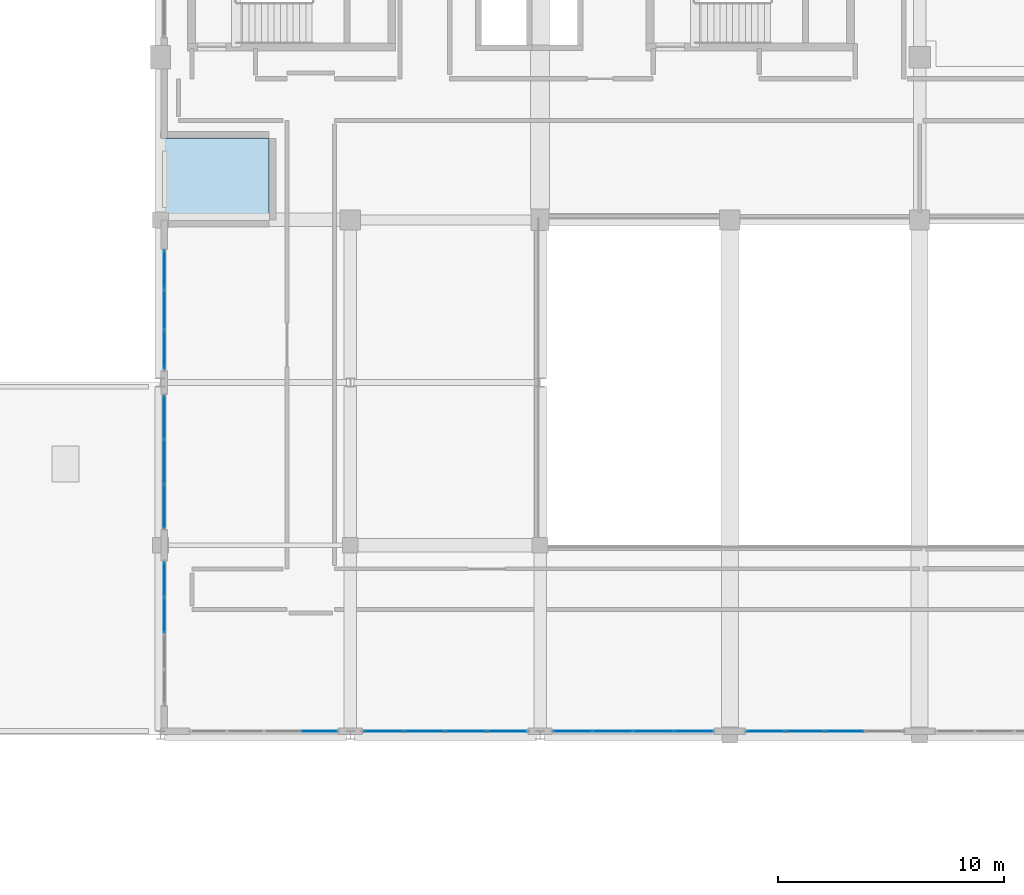
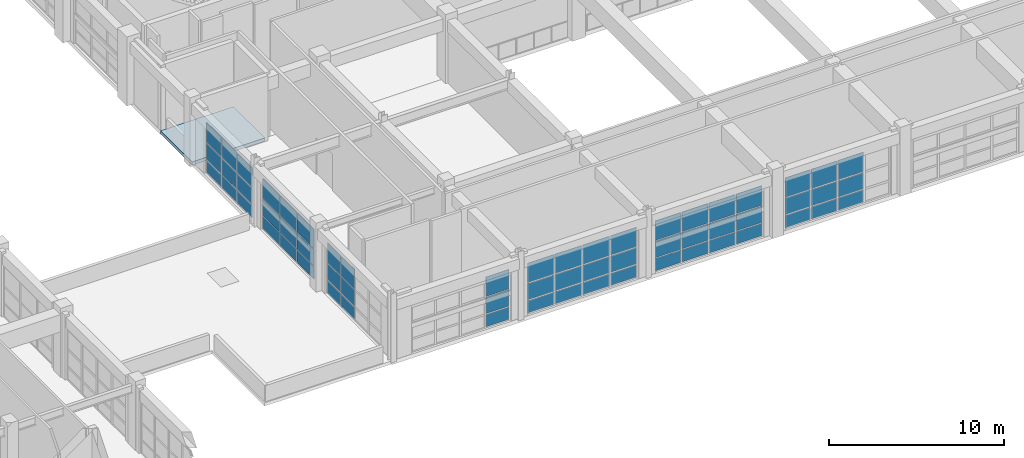
# One storey, part 92 of 123: 60 plates, 1 slab, 7 elements without a shape of their own.
"""IFC4 building model written with IfcOpenShell, lengths in metres."""

from ifc_helpers import new_model, si_unit, direction, frame, origin, origin_2d, place, context, subcontext, project, spatial, polyline, rectangle, outline, extrude, material, layer, layer_set, type_object, element, aggregate, save


model = new_model("IFC4")

# Units and contexts
model_context = context("Model", 3, precision=1e-05, world=origin(), true_north=direction((0.0, 1.0)))
body_context = subcontext(model_context, "Body", "Model", "MODEL_VIEW")
ifc_project = project(units=[si_unit("LENGTHUNIT", "METRE"), si_unit("AREAUNIT", "SQUARE_METRE"), si_unit("VOLUMEUNIT", "CUBIC_METRE"), si_unit("PLANEANGLEUNIT", "RADIAN"), si_unit("MASSUNIT", "GRAM", prefix="KILO")], contexts=[model_context])

# Site, building, storey
site_placement = place(None, origin())
site = spatial("IfcSite", under=ifc_project, at=site_placement, CompositionType="ELEMENT")
building_placement = place(site_placement, origin())
building = spatial("IfcBuilding", under=site, at=building_placement, Name="Quendrovan Civic Courthouse", CompositionType="ELEMENT")
storey_placement = place(building_placement, frame((0.0, 0.0, 5.39990234375)))
storey = spatial("IfcBuildingStorey", under=building, at=storey_placement, Name="L02", CompositionType="ELEMENT", Elevation=5.39990234375)

# Curtain wall, plates
ifc_material_1 = material(Name="Bronze anodised aluminium and low-E glass", Category="aluminium")
ifc_layer_1 = layer(ifc_material_1, 0.179931640625, Name="Bronze anodised aluminium and low-E glass")
ifc_layer_set_1 = layer_set([ifc_layer_1], Name="Bronze anodised aluminium and low-E glass")
curtain_wall_type_1 = type_object("IfcCurtainWallType", Name="CW-U73x36", PredefinedType="USERDEFINED", material=ifc_layer_set_1)
curtain_wall_1_placement = place(storey_placement, origin())
curtain_wall_1 = element("IfcCurtainWall", 1, at=curtain_wall_1_placement, inside=storey, type_object=curtain_wall_type_1, Name="L02 Unitised Hurricane Curtain Wall CW-112", ObjectType="UNITISED CURTAIN WALL", PredefinedType="USERDEFINED")
ifc_material_2 = material(Name="Laminated hurricane-impact low-E glass", Category="glass")
ifc_layer_2 = layer(ifc_material_2, 0.028076171875, Name="Laminated hurricane-impact low-E glass")
ifc_layer_set_2 = layer_set([ifc_layer_2], Name="Laminated hurricane-impact low-E glass")
plate_type_1 = type_object("IfcPlateType", Name="CW-PNL-1", PredefinedType="CURTAIN_PANEL", material=ifc_layer_set_2)
plate_1_placement = place(storey_placement, frame((48.9296875, 64.965087890625, 0.0703125), z_axis=(0.0, 0.0, 1.0), x_axis=(-1.0, 0.0, 0.0)))
plate_1 = element("IfcPlate", 2, at=plate_1_placement, type_object=plate_type_1, Name="CW-112 panel 1.1", PredefinedType="CURTAIN_PANEL", context=body_context, shape_type="SweptSolid", body=[
    extrude(rectangle(XDim=1.7265625, YDim=0.028076171875, at=origin_2d()), origin(), (0.0, 0.0, 1.0), 0.844970703125),
])
plate_2_placement = place(storey_placement, frame((48.9296875, 64.965087890625, 0.985107421875), z_axis=(0.0, 0.0, 1.0), x_axis=(-1.0, 0.0, 0.0)))
plate_2 = element("IfcPlate", 3, at=plate_2_placement, type_object=plate_type_1, Name="CW-112 panel 1.2", PredefinedType="CURTAIN_PANEL", context=body_context, shape_type="SweptSolid", body=[
    extrude(rectangle(XDim=1.7265625, YDim=0.028076171875, at=origin_2d()), origin(), (0.0, 0.0, 1.0), 1.1298828125),
])
plate_3_placement = place(storey_placement, frame((48.9296875, 64.965087890625, 2.18505859375), z_axis=(0.0, 0.0, 1.0), x_axis=(-1.0, 0.0, 0.0)))
plate_3 = element("IfcPlate", 4, at=plate_3_placement, type_object=plate_type_1, Name="CW-112 panel 1.3", PredefinedType="CURTAIN_PANEL", context=body_context, shape_type="SweptSolid", body=[
    extrude(rectangle(XDim=1.7265625, YDim=0.028076171875, at=origin_2d()), origin(), (0.0, 0.0, 1.0), 1.344970703125),
])
plate_4_placement = place(storey_placement, frame((47.11572265625, 64.965087890625, 0.0703125), z_axis=(0.0, 0.0, 1.0), x_axis=(-1.0, 0.0, 0.0)))
plate_4 = element("IfcPlate", 5, at=plate_4_placement, type_object=plate_type_1, Name="CW-112 panel 2.1", PredefinedType="CURTAIN_PANEL", context=body_context, shape_type="SweptSolid", body=[
    extrude(rectangle(XDim=1.761474609375, YDim=0.028076171875, at=origin_2d()), origin(), (0.0, 0.0, 1.0), 0.844970703125),
])
plate_5_placement = place(storey_placement, frame((47.11572265625, 64.965087890625, 0.985107421875), z_axis=(0.0, 0.0, 1.0), x_axis=(-1.0, 0.0, 0.0)))
plate_5 = element("IfcPlate", 6, at=plate_5_placement, type_object=plate_type_1, Name="CW-112 panel 2.2", PredefinedType="CURTAIN_PANEL", context=body_context, shape_type="SweptSolid", body=[
    extrude(rectangle(XDim=1.761474609375, YDim=0.028076171875, at=origin_2d()), origin(), (0.0, 0.0, 1.0), 1.1298828125),
])
plate_6_placement = place(storey_placement, frame((47.11572265625, 64.965087890625, 2.18505859375), z_axis=(0.0, 0.0, 1.0), x_axis=(-1.0, 0.0, 0.0)))
plate_6 = element("IfcPlate", 7, at=plate_6_placement, type_object=plate_type_1, Name="CW-112 panel 2.3", PredefinedType="CURTAIN_PANEL", context=body_context, shape_type="SweptSolid", body=[
    extrude(rectangle(XDim=1.761474609375, YDim=0.028076171875, at=origin_2d()), origin(), (0.0, 0.0, 1.0), 1.344970703125),
])
plate_7_placement = place(storey_placement, frame((45.2841796875, 64.965087890625, 0.0703125), z_axis=(0.0, 0.0, 1.0), x_axis=(-1.0, 0.0, 0.0)))
plate_7 = element("IfcPlate", 8, at=plate_7_placement, type_object=plate_type_1, Name="CW-112 panel 3.1", PredefinedType="CURTAIN_PANEL", context=body_context, shape_type="SweptSolid", body=[
    extrude(rectangle(XDim=1.761474609375, YDim=0.028076171875, at=origin_2d()), origin(), (0.0, 0.0, 1.0), 0.844970703125),
])
plate_8_placement = place(storey_placement, frame((45.2841796875, 64.965087890625, 0.985107421875), z_axis=(0.0, 0.0, 1.0), x_axis=(-1.0, 0.0, 0.0)))
plate_8 = element("IfcPlate", 9, at=plate_8_placement, type_object=plate_type_1, Name="CW-112 panel 3.2", PredefinedType="CURTAIN_PANEL", context=body_context, shape_type="SweptSolid", body=[
    extrude(rectangle(XDim=1.761474609375, YDim=0.028076171875, at=origin_2d()), origin(), (0.0, 0.0, 1.0), 1.1298828125),
])
plate_9_placement = place(storey_placement, frame((45.2841796875, 64.965087890625, 2.18505859375), z_axis=(0.0, 0.0, 1.0), x_axis=(-1.0, 0.0, 0.0)))
plate_9 = element("IfcPlate", 10, at=plate_9_placement, type_object=plate_type_1, Name="CW-112 panel 3.3", PredefinedType="CURTAIN_PANEL", context=body_context, shape_type="SweptSolid", body=[
    extrude(rectangle(XDim=1.761474609375, YDim=0.028076171875, at=origin_2d()), origin(), (0.0, 0.0, 1.0), 1.344970703125),
])
plate_10_placement = place(storey_placement, frame((43.47021484375, 64.965087890625, 0.0703125), z_axis=(0.0, 0.0, 1.0), x_axis=(-1.0, 0.0, 0.0)))
plate_10 = element("IfcPlate", 11, at=plate_10_placement, type_object=plate_type_1, Name="CW-112 panel 4.1", PredefinedType="CURTAIN_PANEL", context=body_context, shape_type="SweptSolid", body=[
    extrude(rectangle(XDim=1.7265625, YDim=0.028076171875, at=origin_2d()), origin(), (0.0, 0.0, 1.0), 0.844970703125),
])
plate_11_placement = place(storey_placement, frame((43.47021484375, 64.965087890625, 0.985107421875), z_axis=(0.0, 0.0, 1.0), x_axis=(-1.0, 0.0, 0.0)))
plate_11 = element("IfcPlate", 12, at=plate_11_placement, type_object=plate_type_1, Name="CW-112 panel 4.2", PredefinedType="CURTAIN_PANEL", context=body_context, shape_type="SweptSolid", body=[
    extrude(rectangle(XDim=1.7265625, YDim=0.028076171875, at=origin_2d()), origin(), (0.0, 0.0, 1.0), 1.1298828125),
])
plate_12_placement = place(storey_placement, frame((43.47021484375, 64.965087890625, 2.18505859375), z_axis=(0.0, 0.0, 1.0), x_axis=(-1.0, 0.0, 0.0)))
plate_12 = element("IfcPlate", 13, at=plate_12_placement, type_object=plate_type_1, Name="CW-112 panel 4.3", PredefinedType="CURTAIN_PANEL", context=body_context, shape_type="SweptSolid", body=[
    extrude(rectangle(XDim=1.7265625, YDim=0.028076171875, at=origin_2d()), origin(), (0.0, 0.0, 1.0), 1.344970703125),
])
aggregate(curtain_wall_1, [plate_1, plate_2, plate_3, plate_4, plate_5, plate_6, plate_7, plate_8, plate_9, plate_10, plate_11, plate_12])

ifc_layer_3 = layer(ifc_material_1, 0.179931640625, Name="Bronze anodised aluminium and low-E glass")
ifc_layer_set_3 = layer_set([ifc_layer_3], Name="Bronze anodised aluminium and low-E glass")
curtain_wall_type_2 = type_object("IfcCurtainWallType", Name="CW-U54x36", PredefinedType="USERDEFINED", material=ifc_layer_set_3)
curtain_wall_2_placement = place(storey_placement, origin())
curtain_wall_2 = element("IfcCurtainWall", 14, at=curtain_wall_2_placement, inside=storey, type_object=curtain_wall_type_2, Name="L02 Unitised Hurricane Curtain Wall CW-116", ObjectType="UNITISED CURTAIN WALL", PredefinedType="USERDEFINED")
plate_13_placement = place(storey_placement, frame((33.764892578125, 81.848388671875, 0.0703125), z_axis=(0.0, 0.0, 1.0), x_axis=(0.0, 1.0, 0.0)))
plate_13 = element("IfcPlate", 15, at=plate_13_placement, type_object=plate_type_1, Name="CW-116 panel 1.1", PredefinedType="CURTAIN_PANEL", context=body_context, shape_type="SweptSolid", body=[
    extrude(rectangle(XDim=1.6826171875, YDim=0.028076171875, at=origin_2d()), origin(), (0.0, 0.0, 1.0), 0.844970703125),
])
plate_14_placement = place(storey_placement, frame((33.764892578125, 81.848388671875, 0.985107421875), z_axis=(0.0, 0.0, 1.0), x_axis=(0.0, 1.0, 0.0)))
plate_14 = element("IfcPlate", 16, at=plate_14_placement, type_object=plate_type_1, Name="CW-116 panel 1.2", PredefinedType="CURTAIN_PANEL", context=body_context, shape_type="SweptSolid", body=[
    extrude(rectangle(XDim=1.6826171875, YDim=0.028076171875, at=origin_2d()), origin(), (0.0, 0.0, 1.0), 1.1298828125),
])
plate_15_placement = place(storey_placement, frame((33.764892578125, 81.848388671875, 2.18505859375), z_axis=(0.0, 0.0, 1.0), x_axis=(0.0, 1.0, 0.0)))
plate_15 = element("IfcPlate", 17, at=plate_15_placement, type_object=plate_type_1, Name="CW-116 panel 1.3", PredefinedType="CURTAIN_PANEL", context=body_context, shape_type="SweptSolid", body=[
    extrude(rectangle(XDim=1.6826171875, YDim=0.028076171875, at=origin_2d()), origin(), (0.0, 0.0, 1.0), 1.344970703125),
])
plate_16_placement = place(storey_placement, frame((33.764892578125, 83.618408203125, 0.0703125), z_axis=(0.0, 0.0, 1.0), x_axis=(0.0, 1.0, 0.0)))
plate_16 = element("IfcPlate", 18, at=plate_16_placement, type_object=plate_type_1, Name="CW-116 panel 2.1", PredefinedType="CURTAIN_PANEL", context=body_context, shape_type="SweptSolid", body=[
    extrude(rectangle(XDim=1.7177734375, YDim=0.028076171875, at=origin_2d()), origin(), (0.0, 0.0, 1.0), 0.844970703125),
])
plate_17_placement = place(storey_placement, frame((33.764892578125, 83.618408203125, 0.985107421875), z_axis=(0.0, 0.0, 1.0), x_axis=(0.0, 1.0, 0.0)))
plate_17 = element("IfcPlate", 19, at=plate_17_placement, type_object=plate_type_1, Name="CW-116 panel 2.2", PredefinedType="CURTAIN_PANEL", context=body_context, shape_type="SweptSolid", body=[
    extrude(rectangle(XDim=1.7177734375, YDim=0.028076171875, at=origin_2d()), origin(), (0.0, 0.0, 1.0), 1.1298828125),
])
plate_18_placement = place(storey_placement, frame((33.764892578125, 83.618408203125, 2.18505859375), z_axis=(0.0, 0.0, 1.0), x_axis=(0.0, 1.0, 0.0)))
plate_18 = element("IfcPlate", 20, at=plate_18_placement, type_object=plate_type_1, Name="CW-116 panel 2.3", PredefinedType="CURTAIN_PANEL", context=body_context, shape_type="SweptSolid", body=[
    extrude(rectangle(XDim=1.7177734375, YDim=0.028076171875, at=origin_2d()), origin(), (0.0, 0.0, 1.0), 1.344970703125),
])
plate_19_placement = place(storey_placement, frame((33.764892578125, 85.388671875, 0.0703125), z_axis=(0.0, 0.0, 1.0), x_axis=(0.0, 1.0, 0.0)))
plate_19 = element("IfcPlate", 21, at=plate_19_placement, type_object=plate_type_1, Name="CW-116 panel 3.1", PredefinedType="CURTAIN_PANEL", context=body_context, shape_type="SweptSolid", body=[
    extrude(rectangle(XDim=1.6826171875, YDim=0.028076171875, at=origin_2d()), origin(), (0.0, 0.0, 1.0), 0.844970703125),
])
plate_20_placement = place(storey_placement, frame((33.764892578125, 85.388671875, 0.985107421875), z_axis=(0.0, 0.0, 1.0), x_axis=(0.0, 1.0, 0.0)))
plate_20 = element("IfcPlate", 22, at=plate_20_placement, type_object=plate_type_1, Name="CW-116 panel 3.2", PredefinedType="CURTAIN_PANEL", context=body_context, shape_type="SweptSolid", body=[
    extrude(rectangle(XDim=1.6826171875, YDim=0.028076171875, at=origin_2d()), origin(), (0.0, 0.0, 1.0), 1.1298828125),
])
plate_21_placement = place(storey_placement, frame((33.764892578125, 85.388671875, 2.18505859375), z_axis=(0.0, 0.0, 1.0), x_axis=(0.0, 1.0, 0.0)))
plate_21 = element("IfcPlate", 23, at=plate_21_placement, type_object=plate_type_1, Name="CW-116 panel 3.3", PredefinedType="CURTAIN_PANEL", context=body_context, shape_type="SweptSolid", body=[
    extrude(rectangle(XDim=1.6826171875, YDim=0.028076171875, at=origin_2d()), origin(), (0.0, 0.0, 1.0), 1.344970703125),
])
aggregate(curtain_wall_2, [plate_13, plate_14, plate_15, plate_16, plate_17, plate_18, plate_19, plate_20, plate_21])

ifc_layer_4 = layer(ifc_material_1, 0.179931640625, Name="Bronze anodised aluminium and low-E glass")
ifc_layer_set_4 = layer_set([ifc_layer_4], Name="Bronze anodised aluminium and low-E glass")
curtain_wall_type_3 = type_object("IfcCurtainWallType", Name="CW-U66x36", PredefinedType="USERDEFINED", material=ifc_layer_set_4)
curtain_wall_3_placement = place(storey_placement, origin())
curtain_wall_3 = element("IfcCurtainWall", 24, at=curtain_wall_3_placement, inside=storey, type_object=curtain_wall_type_3, Name="L02 Unitised Hurricane Curtain Wall CW-113", ObjectType="UNITISED CURTAIN WALL", PredefinedType="USERDEFINED")
ifc_layer_5 = layer(ifc_material_2, 0.031982421875, Name="Laminated hurricane-impact low-E glass")
ifc_layer_set_5 = layer_set([ifc_layer_5], Name="Laminated hurricane-impact low-E glass")
plate_type_2 = type_object("IfcPlateType", Name="CW-PNL-2", PredefinedType="CURTAIN_PANEL", material=ifc_layer_set_5)
plate_22_placement = place(storey_placement, frame((40.62646484375, 64.965087890625, 0.065185546875), z_axis=(0.0, 0.0, 1.0), x_axis=(-1.0, 0.0, 0.0)))
plate_22 = element("IfcPlate", 25, at=plate_22_placement, type_object=plate_type_2, Name="CW-113 panel 1.1", PredefinedType="CURTAIN_PANEL", context=body_context, shape_type="SweptSolid", body=[
    extrude(rectangle(XDim=1.543212890625, YDim=0.031982421875, at=origin_2d()), origin(), (0.0, 0.0, 1.0), 0.8525390625),
])
plate_23_placement = place(storey_placement, frame((40.62646484375, 64.965087890625, 0.982421875), z_axis=(0.0, 0.0, 1.0), x_axis=(-1.0, 0.0, 0.0)))
plate_23 = element("IfcPlate", 26, at=plate_23_placement, type_object=plate_type_2, Name="CW-113 panel 1.2", PredefinedType="CURTAIN_PANEL", context=body_context, shape_type="SweptSolid", body=[
    extrude(rectangle(XDim=1.543212890625, YDim=0.031982421875, at=origin_2d()), origin(), (0.0, 0.0, 1.0), 1.135009765625),
])
plate_24_placement = place(storey_placement, frame((40.62646484375, 64.965087890625, 2.1826171875), z_axis=(0.0, 0.0, 1.0), x_axis=(-1.0, 0.0, 0.0)))
plate_24 = element("IfcPlate", 27, at=plate_24_placement, type_object=plate_type_2, Name="CW-113 panel 1.3", PredefinedType="CURTAIN_PANEL", context=body_context, shape_type="SweptSolid", body=[
    extrude(rectangle(XDim=1.543212890625, YDim=0.031982421875, at=origin_2d()), origin(), (0.0, 0.0, 1.0), 1.3525390625),
])
aggregate(curtain_wall_3, [plate_22, plate_23, plate_24])

ifc_layer_6 = layer(ifc_material_1, 0.179931640625, Name="Bronze anodised aluminium and low-E glass")
ifc_layer_set_6 = layer_set([ifc_layer_6], Name="Bronze anodised aluminium and low-E glass")
curtain_wall_type_4 = type_object("IfcCurtainWallType", Name="CW-U70x36", PredefinedType="USERDEFINED", material=ifc_layer_set_6)
curtain_wall_4_placement = place(storey_placement, origin())
curtain_wall_4 = element("IfcCurtainWall", 28, at=curtain_wall_4_placement, inside=storey, type_object=curtain_wall_type_4, Name="L02 Unitised Hurricane Curtain Wall CW-110", ObjectType="UNITISED CURTAIN WALL", PredefinedType="USERDEFINED")
ifc_layer_7 = layer(ifc_material_2, 0.035888671875, Name="Laminated hurricane-impact low-E glass")
ifc_layer_set_7 = layer_set([ifc_layer_7], Name="Laminated hurricane-impact low-E glass")
plate_type_3 = type_object("IfcPlateType", Name="CW-PNL-3", PredefinedType="CURTAIN_PANEL", material=ifc_layer_set_7)
plate_25_placement = place(storey_placement, frame((63.875, 64.965087890625, 0.0703125), z_axis=(0.0, 0.0, 1.0), x_axis=(-1.0, 0.0, 0.0)))
plate_25 = element("IfcPlate", 29, at=plate_25_placement, type_object=plate_type_3, Name="CW-110 panel 2.1", PredefinedType="CURTAIN_PANEL", context=body_context, shape_type="SweptSolid", body=[
    extrude(rectangle(XDim=1.679931640625, YDim=0.035888671875, at=origin_2d()), origin(), (0.0, 0.0, 1.0), 0.844970703125),
])
plate_26_placement = place(storey_placement, frame((63.875, 64.965087890625, 0.985107421875), z_axis=(0.0, 0.0, 1.0), x_axis=(-1.0, 0.0, 0.0)))
plate_26 = element("IfcPlate", 30, at=plate_26_placement, type_object=plate_type_3, Name="CW-110 panel 2.2", PredefinedType="CURTAIN_PANEL", context=body_context, shape_type="SweptSolid", body=[
    extrude(rectangle(XDim=1.679931640625, YDim=0.035888671875, at=origin_2d()), origin(), (0.0, 0.0, 1.0), 1.1298828125),
])
plate_27_placement = place(storey_placement, frame((63.875, 64.965087890625, 2.18505859375), z_axis=(0.0, 0.0, 1.0), x_axis=(-1.0, 0.0, 0.0)))
plate_27 = element("IfcPlate", 31, at=plate_27_placement, type_object=plate_type_3, Name="CW-110 panel 2.3", PredefinedType="CURTAIN_PANEL", context=body_context, shape_type="SweptSolid", body=[
    extrude(rectangle(XDim=1.679931640625, YDim=0.035888671875, at=origin_2d()), origin(), (0.0, 0.0, 1.0), 1.344970703125),
])
plate_28_placement = place(storey_placement, frame((62.125, 64.965087890625, 0.0703125), z_axis=(0.0, 0.0, 1.0), x_axis=(-1.0, 0.0, 0.0)))
plate_28 = element("IfcPlate", 32, at=plate_28_placement, type_object=plate_type_3, Name="CW-110 panel 3.1", PredefinedType="CURTAIN_PANEL", context=body_context, shape_type="SweptSolid", body=[
    extrude(rectangle(XDim=1.679931640625, YDim=0.035888671875, at=origin_2d()), origin(), (0.0, 0.0, 1.0), 0.844970703125),
])
plate_29_placement = place(storey_placement, frame((62.125, 64.965087890625, 0.985107421875), z_axis=(0.0, 0.0, 1.0), x_axis=(-1.0, 0.0, 0.0)))
plate_29 = element("IfcPlate", 33, at=plate_29_placement, type_object=plate_type_3, Name="CW-110 panel 3.2", PredefinedType="CURTAIN_PANEL", context=body_context, shape_type="SweptSolid", body=[
    extrude(rectangle(XDim=1.679931640625, YDim=0.035888671875, at=origin_2d()), origin(), (0.0, 0.0, 1.0), 1.1298828125),
])
plate_30_placement = place(storey_placement, frame((62.125, 64.965087890625, 2.18505859375), z_axis=(0.0, 0.0, 1.0), x_axis=(-1.0, 0.0, 0.0)))
plate_30 = element("IfcPlate", 34, at=plate_30_placement, type_object=plate_type_3, Name="CW-110 panel 3.3", PredefinedType="CURTAIN_PANEL", context=body_context, shape_type="SweptSolid", body=[
    extrude(rectangle(XDim=1.679931640625, YDim=0.035888671875, at=origin_2d()), origin(), (0.0, 0.0, 1.0), 1.344970703125),
])
plate_31_placement = place(storey_placement, frame((60.392578125, 64.965087890625, 0.0703125), z_axis=(0.0, 0.0, 1.0), x_axis=(-1.0, 0.0, 0.0)))
plate_31 = element("IfcPlate", 35, at=plate_31_placement, type_object=plate_type_3, Name="CW-110 panel 4.1", PredefinedType="CURTAIN_PANEL", context=body_context, shape_type="SweptSolid", body=[
    extrude(rectangle(XDim=1.64501953125, YDim=0.035888671875, at=origin_2d()), origin(), (0.0, 0.0, 1.0), 0.844970703125),
])
plate_32_placement = place(storey_placement, frame((60.392578125, 64.965087890625, 0.985107421875), z_axis=(0.0, 0.0, 1.0), x_axis=(-1.0, 0.0, 0.0)))
plate_32 = element("IfcPlate", 36, at=plate_32_placement, type_object=plate_type_3, Name="CW-110 panel 4.2", PredefinedType="CURTAIN_PANEL", context=body_context, shape_type="SweptSolid", body=[
    extrude(rectangle(XDim=1.64501953125, YDim=0.035888671875, at=origin_2d()), origin(), (0.0, 0.0, 1.0), 1.1298828125),
])
plate_33_placement = place(storey_placement, frame((60.392578125, 64.965087890625, 2.18505859375), z_axis=(0.0, 0.0, 1.0), x_axis=(-1.0, 0.0, 0.0)))
plate_33 = element("IfcPlate", 37, at=plate_33_placement, type_object=plate_type_3, Name="CW-110 panel 4.3", PredefinedType="CURTAIN_PANEL", context=body_context, shape_type="SweptSolid", body=[
    extrude(rectangle(XDim=1.64501953125, YDim=0.035888671875, at=origin_2d()), origin(), (0.0, 0.0, 1.0), 1.344970703125),
])
aggregate(curtain_wall_4, [plate_25, plate_26, plate_27, plate_28, plate_29, plate_30, plate_31, plate_32, plate_33])

ifc_layer_8 = layer(ifc_material_1, 0.179931640625, Name="Bronze anodised aluminium and low-E glass")
ifc_layer_set_8 = layer_set([ifc_layer_8], Name="Bronze anodised aluminium and low-E glass")
curtain_wall_type_5 = type_object("IfcCurtainWallType", Name="CW-U64x36", PredefinedType="USERDEFINED", material=ifc_layer_set_8)
curtain_wall_5_placement = place(storey_placement, origin())
curtain_wall_5 = element("IfcCurtainWall", 38, at=curtain_wall_5_placement, inside=storey, type_object=curtain_wall_type_5, Name="L02 Unitised Hurricane Curtain Wall CW-114", ObjectType="UNITISED CURTAIN WALL", PredefinedType="USERDEFINED")
plate_34_placement = place(storey_placement, frame((33.764892578125, 70.10009765625, 0.0703125), z_axis=(0.0, 0.0, 1.0), x_axis=(0.0, 1.0, 0.0)))
plate_34 = element("IfcPlate", 39, at=plate_34_placement, type_object=plate_type_3, Name="CW-114 panel 3.1", PredefinedType="CURTAIN_PANEL", context=body_context, shape_type="SweptSolid", body=[
    extrude(rectangle(XDim=1.530029296875, YDim=0.035888671875, at=origin_2d()), origin(), (0.0, 0.0, 1.0), 0.844970703125),
])
plate_35_placement = place(storey_placement, frame((33.764892578125, 70.10009765625, 0.985107421875), z_axis=(0.0, 0.0, 1.0), x_axis=(0.0, 1.0, 0.0)))
plate_35 = element("IfcPlate", 40, at=plate_35_placement, type_object=plate_type_3, Name="CW-114 panel 3.2", PredefinedType="CURTAIN_PANEL", context=body_context, shape_type="SweptSolid", body=[
    extrude(rectangle(XDim=1.530029296875, YDim=0.035888671875, at=origin_2d()), origin(), (0.0, 0.0, 1.0), 1.1298828125),
])
plate_36_placement = place(storey_placement, frame((33.764892578125, 70.10009765625, 2.18505859375), z_axis=(0.0, 0.0, 1.0), x_axis=(0.0, 1.0, 0.0)))
plate_36 = element("IfcPlate", 41, at=plate_36_placement, type_object=plate_type_3, Name="CW-114 panel 3.3", PredefinedType="CURTAIN_PANEL", context=body_context, shape_type="SweptSolid", body=[
    extrude(rectangle(XDim=1.530029296875, YDim=0.035888671875, at=origin_2d()), origin(), (0.0, 0.0, 1.0), 1.344970703125),
])
plate_37_placement = place(storey_placement, frame((33.764892578125, 71.6826171875, 0.0703125), z_axis=(0.0, 0.0, 1.0), x_axis=(0.0, 1.0, 0.0)))
plate_37 = element("IfcPlate", 42, at=plate_37_placement, type_object=plate_type_3, Name="CW-114 panel 4.1", PredefinedType="CURTAIN_PANEL", context=body_context, shape_type="SweptSolid", body=[
    extrude(rectangle(XDim=1.4951171875, YDim=0.035888671875, at=origin_2d()), origin(), (0.0, 0.0, 1.0), 0.844970703125),
])
plate_38_placement = place(storey_placement, frame((33.764892578125, 71.6826171875, 0.985107421875), z_axis=(0.0, 0.0, 1.0), x_axis=(0.0, 1.0, 0.0)))
plate_38 = element("IfcPlate", 43, at=plate_38_placement, type_object=plate_type_3, Name="CW-114 panel 4.2", PredefinedType="CURTAIN_PANEL", context=body_context, shape_type="SweptSolid", body=[
    extrude(rectangle(XDim=1.4951171875, YDim=0.035888671875, at=origin_2d()), origin(), (0.0, 0.0, 1.0), 1.1298828125),
])
plate_39_placement = place(storey_placement, frame((33.764892578125, 71.6826171875, 2.18505859375), z_axis=(0.0, 0.0, 1.0), x_axis=(0.0, 1.0, 0.0)))
plate_39 = element("IfcPlate", 44, at=plate_39_placement, type_object=plate_type_3, Name="CW-114 panel 4.3", PredefinedType="CURTAIN_PANEL", context=body_context, shape_type="SweptSolid", body=[
    extrude(rectangle(XDim=1.4951171875, YDim=0.035888671875, at=origin_2d()), origin(), (0.0, 0.0, 1.0), 1.344970703125),
])
aggregate(curtain_wall_5, [plate_34, plate_35, plate_36, plate_37, plate_38, plate_39])

ifc_layer_9 = layer(ifc_material_1, 0.179931640625, Name="Bronze anodised aluminium and low-E glass")
ifc_layer_set_9 = layer_set([ifc_layer_9], Name="Bronze anodised aluminium and low-E glass")
curtain_wall_type_6 = type_object("IfcCurtainWallType", Name="CW-U72x36", PredefinedType="USERDEFINED", material=ifc_layer_set_9)
curtain_wall_6_placement = place(storey_placement, origin())
curtain_wall_6 = element("IfcCurtainWall", 45, at=curtain_wall_6_placement, inside=storey, type_object=curtain_wall_type_6, Name="L02 Unitised Hurricane Curtain Wall CW-111", ObjectType="UNITISED CURTAIN WALL", PredefinedType="USERDEFINED")
ifc_layer_10 = layer(ifc_material_2, 0.0419921875, Name="Laminated hurricane-impact low-E glass")
ifc_layer_set_10 = layer_set([ifc_layer_10], Name="Laminated hurricane-impact low-E glass")
plate_type_4 = type_object("IfcPlateType", Name="CW-PNL-4", PredefinedType="CURTAIN_PANEL", material=ifc_layer_set_10)
plate_40_placement = place(storey_placement, frame((57.1884765625, 64.965087890625, 0.065185546875), z_axis=(0.0, 0.0, 1.0), x_axis=(-1.0, 0.0, 0.0)))
plate_40 = element("IfcPlate", 46, at=plate_40_placement, type_object=plate_type_4, Name="CW-111 panel 1.1", PredefinedType="CURTAIN_PANEL", context=body_context, shape_type="SweptSolid", body=[
    extrude(rectangle(XDim=1.693359375, YDim=0.0419921875, at=origin_2d()), origin(), (0.0, 0.0, 1.0), 0.8525390625),
])
plate_41_placement = place(storey_placement, frame((57.1884765625, 64.965087890625, 0.982421875), z_axis=(0.0, 0.0, 1.0), x_axis=(-1.0, 0.0, 0.0)))
plate_41 = element("IfcPlate", 47, at=plate_41_placement, type_object=plate_type_4, Name="CW-111 panel 1.2", PredefinedType="CURTAIN_PANEL", context=body_context, shape_type="SweptSolid", body=[
    extrude(rectangle(XDim=1.693359375, YDim=0.0419921875, at=origin_2d()), origin(), (0.0, 0.0, 1.0), 1.135009765625),
])
plate_42_placement = place(storey_placement, frame((57.1884765625, 64.965087890625, 2.1826171875), z_axis=(0.0, 0.0, 1.0), x_axis=(-1.0, 0.0, 0.0)))
plate_42 = element("IfcPlate", 48, at=plate_42_placement, type_object=plate_type_4, Name="CW-111 panel 1.3", PredefinedType="CURTAIN_PANEL", context=body_context, shape_type="SweptSolid", body=[
    extrude(rectangle(XDim=1.693359375, YDim=0.0419921875, at=origin_2d()), origin(), (0.0, 0.0, 1.0), 1.3525390625),
])
plate_43_placement = place(storey_placement, frame((55.413818359375, 64.965087890625, 0.065185546875), z_axis=(0.0, 0.0, 1.0), x_axis=(-1.0, 0.0, 0.0)))
plate_43 = element("IfcPlate", 49, at=plate_43_placement, type_object=plate_type_4, Name="CW-111 panel 2.1", PredefinedType="CURTAIN_PANEL", context=body_context, shape_type="SweptSolid", body=[
    extrude(rectangle(XDim=1.725830078125, YDim=0.0419921875, at=origin_2d()), origin(), (0.0, 0.0, 1.0), 0.8525390625),
])
plate_44_placement = place(storey_placement, frame((55.413818359375, 64.965087890625, 0.982421875), z_axis=(0.0, 0.0, 1.0), x_axis=(-1.0, 0.0, 0.0)))
plate_44 = element("IfcPlate", 50, at=plate_44_placement, type_object=plate_type_4, Name="CW-111 panel 2.2", PredefinedType="CURTAIN_PANEL", context=body_context, shape_type="SweptSolid", body=[
    extrude(rectangle(XDim=1.725830078125, YDim=0.0419921875, at=origin_2d()), origin(), (0.0, 0.0, 1.0), 1.135009765625),
])
plate_45_placement = place(storey_placement, frame((55.413818359375, 64.965087890625, 2.1826171875), z_axis=(0.0, 0.0, 1.0), x_axis=(-1.0, 0.0, 0.0)))
plate_45 = element("IfcPlate", 51, at=plate_45_placement, type_object=plate_type_4, Name="CW-111 panel 2.3", PredefinedType="CURTAIN_PANEL", context=body_context, shape_type="SweptSolid", body=[
    extrude(rectangle(XDim=1.725830078125, YDim=0.0419921875, at=origin_2d()), origin(), (0.0, 0.0, 1.0), 1.3525390625),
])
plate_46_placement = place(storey_placement, frame((53.623046875, 64.965087890625, 0.065185546875), z_axis=(0.0, 0.0, 1.0), x_axis=(-1.0, 0.0, 0.0)))
plate_46 = element("IfcPlate", 52, at=plate_46_placement, type_object=plate_type_4, Name="CW-111 panel 3.1", PredefinedType="CURTAIN_PANEL", context=body_context, shape_type="SweptSolid", body=[
    extrude(rectangle(XDim=1.725830078125, YDim=0.0419921875, at=origin_2d()), origin(), (0.0, 0.0, 1.0), 0.8525390625),
])
plate_47_placement = place(storey_placement, frame((53.623046875, 64.965087890625, 0.982421875), z_axis=(0.0, 0.0, 1.0), x_axis=(-1.0, 0.0, 0.0)))
plate_47 = element("IfcPlate", 53, at=plate_47_placement, type_object=plate_type_4, Name="CW-111 panel 3.2", PredefinedType="CURTAIN_PANEL", context=body_context, shape_type="SweptSolid", body=[
    extrude(rectangle(XDim=1.725830078125, YDim=0.0419921875, at=origin_2d()), origin(), (0.0, 0.0, 1.0), 1.135009765625),
])
plate_48_placement = place(storey_placement, frame((53.623046875, 64.965087890625, 2.1826171875), z_axis=(0.0, 0.0, 1.0), x_axis=(-1.0, 0.0, 0.0)))
plate_48 = element("IfcPlate", 54, at=plate_48_placement, type_object=plate_type_4, Name="CW-111 panel 3.3", PredefinedType="CURTAIN_PANEL", context=body_context, shape_type="SweptSolid", body=[
    extrude(rectangle(XDim=1.725830078125, YDim=0.0419921875, at=origin_2d()), origin(), (0.0, 0.0, 1.0), 1.3525390625),
])
plate_49_placement = place(storey_placement, frame((51.8486328125, 64.965087890625, 0.065185546875), z_axis=(0.0, 0.0, 1.0), x_axis=(-1.0, 0.0, 0.0)))
plate_49 = element("IfcPlate", 55, at=plate_49_placement, type_object=plate_type_4, Name="CW-111 panel 4.1", PredefinedType="CURTAIN_PANEL", context=body_context, shape_type="SweptSolid", body=[
    extrude(rectangle(XDim=1.693359375, YDim=0.0419921875, at=origin_2d()), origin(), (0.0, 0.0, 1.0), 0.8525390625),
])
plate_50_placement = place(storey_placement, frame((51.8486328125, 64.965087890625, 0.982421875), z_axis=(0.0, 0.0, 1.0), x_axis=(-1.0, 0.0, 0.0)))
plate_50 = element("IfcPlate", 56, at=plate_50_placement, type_object=plate_type_4, Name="CW-111 panel 4.2", PredefinedType="CURTAIN_PANEL", context=body_context, shape_type="SweptSolid", body=[
    extrude(rectangle(XDim=1.693359375, YDim=0.0419921875, at=origin_2d()), origin(), (0.0, 0.0, 1.0), 1.135009765625),
])
plate_51_placement = place(storey_placement, frame((51.8486328125, 64.965087890625, 2.1826171875), z_axis=(0.0, 0.0, 1.0), x_axis=(-1.0, 0.0, 0.0)))
plate_51 = element("IfcPlate", 57, at=plate_51_placement, type_object=plate_type_4, Name="CW-111 panel 4.3", PredefinedType="CURTAIN_PANEL", context=body_context, shape_type="SweptSolid", body=[
    extrude(rectangle(XDim=1.693359375, YDim=0.0419921875, at=origin_2d()), origin(), (0.0, 0.0, 1.0), 1.3525390625),
])
aggregate(curtain_wall_6, [plate_40, plate_41, plate_42, plate_43, plate_44, plate_45, plate_46, plate_47, plate_48, plate_49, plate_50, plate_51])

ifc_layer_11 = layer(ifc_material_1, 0.179931640625, Name="Bronze anodised aluminium and low-E glass")
ifc_layer_set_11 = layer_set([ifc_layer_11], Name="Bronze anodised aluminium and low-E glass")
curtain_wall_type_7 = type_object("IfcCurtainWallType", Name="CW-U60x36", PredefinedType="USERDEFINED", material=ifc_layer_set_11)
curtain_wall_7_placement = place(storey_placement, origin())
curtain_wall_7 = element("IfcCurtainWall", 58, at=curtain_wall_7_placement, inside=storey, type_object=curtain_wall_type_7, Name="L02 Unitised Hurricane Curtain Wall CW-115", ObjectType="UNITISED CURTAIN WALL", PredefinedType="USERDEFINED")
plate_52_placement = place(storey_placement, frame((33.764892578125, 74.91015625, 0.065185546875), z_axis=(0.0, 0.0, 1.0), x_axis=(0.0, 1.0, 0.0)))
plate_52 = element("IfcPlate", 59, at=plate_52_placement, type_object=plate_type_4, Name="CW-115 panel 1.1", PredefinedType="CURTAIN_PANEL", context=body_context, shape_type="SweptSolid", body=[
    extrude(rectangle(XDim=1.89013671875, YDim=0.0419921875, at=origin_2d()), origin(), (0.0, 0.0, 1.0), 0.8525390625),
])
plate_53_placement = place(storey_placement, frame((33.764892578125, 74.91015625, 0.982421875), z_axis=(0.0, 0.0, 1.0), x_axis=(0.0, 1.0, 0.0)))
plate_53 = element("IfcPlate", 60, at=plate_53_placement, type_object=plate_type_4, Name="CW-115 panel 1.2", PredefinedType="CURTAIN_PANEL", context=body_context, shape_type="SweptSolid", body=[
    extrude(rectangle(XDim=1.89013671875, YDim=0.0419921875, at=origin_2d()), origin(), (0.0, 0.0, 1.0), 1.135009765625),
])
plate_54_placement = place(storey_placement, frame((33.764892578125, 74.91015625, 2.1826171875), z_axis=(0.0, 0.0, 1.0), x_axis=(0.0, 1.0, 0.0)))
plate_54 = element("IfcPlate", 61, at=plate_54_placement, type_object=plate_type_4, Name="CW-115 panel 1.3", PredefinedType="CURTAIN_PANEL", context=body_context, shape_type="SweptSolid", body=[
    extrude(rectangle(XDim=1.89013671875, YDim=0.0419921875, at=origin_2d()), origin(), (0.0, 0.0, 1.0), 1.3525390625),
])
plate_55_placement = place(storey_placement, frame((33.764892578125, 76.881591796875, 0.065185546875), z_axis=(0.0, 0.0, 1.0), x_axis=(0.0, 1.0, 0.0)))
plate_55 = element("IfcPlate", 62, at=plate_55_placement, type_object=plate_type_4, Name="CW-115 panel 2.1", PredefinedType="CURTAIN_PANEL", context=body_context, shape_type="SweptSolid", body=[
    extrude(rectangle(XDim=1.922607421875, YDim=0.0419921875, at=origin_2d()), origin(), (0.0, 0.0, 1.0), 0.8525390625),
])
plate_56_placement = place(storey_placement, frame((33.764892578125, 76.881591796875, 0.982421875), z_axis=(0.0, 0.0, 1.0), x_axis=(0.0, 1.0, 0.0)))
plate_56 = element("IfcPlate", 63, at=plate_56_placement, type_object=plate_type_4, Name="CW-115 panel 2.2", PredefinedType="CURTAIN_PANEL", context=body_context, shape_type="SweptSolid", body=[
    extrude(rectangle(XDim=1.922607421875, YDim=0.0419921875, at=origin_2d()), origin(), (0.0, 0.0, 1.0), 1.135009765625),
])
plate_57_placement = place(storey_placement, frame((33.764892578125, 76.881591796875, 2.1826171875), z_axis=(0.0, 0.0, 1.0), x_axis=(0.0, 1.0, 0.0)))
plate_57 = element("IfcPlate", 64, at=plate_57_placement, type_object=plate_type_4, Name="CW-115 panel 2.3", PredefinedType="CURTAIN_PANEL", context=body_context, shape_type="SweptSolid", body=[
    extrude(rectangle(XDim=1.922607421875, YDim=0.0419921875, at=origin_2d()), origin(), (0.0, 0.0, 1.0), 1.3525390625),
])
plate_58_placement = place(storey_placement, frame((33.764892578125, 78.85302734375, 0.065185546875), z_axis=(0.0, 0.0, 1.0), x_axis=(0.0, 1.0, 0.0)))
plate_58 = element("IfcPlate", 65, at=plate_58_placement, type_object=plate_type_4, Name="CW-115 panel 3.1", PredefinedType="CURTAIN_PANEL", context=body_context, shape_type="SweptSolid", body=[
    extrude(rectangle(XDim=1.89013671875, YDim=0.0419921875, at=origin_2d()), origin(), (0.0, 0.0, 1.0), 0.8525390625),
])
plate_59_placement = place(storey_placement, frame((33.764892578125, 78.85302734375, 0.982421875), z_axis=(0.0, 0.0, 1.0), x_axis=(0.0, 1.0, 0.0)))
plate_59 = element("IfcPlate", 66, at=plate_59_placement, type_object=plate_type_4, Name="CW-115 panel 3.2", PredefinedType="CURTAIN_PANEL", context=body_context, shape_type="SweptSolid", body=[
    extrude(rectangle(XDim=1.89013671875, YDim=0.0419921875, at=origin_2d()), origin(), (0.0, 0.0, 1.0), 1.135009765625),
])
plate_60_placement = place(storey_placement, frame((33.764892578125, 78.85302734375, 2.1826171875), z_axis=(0.0, 0.0, 1.0), x_axis=(0.0, 1.0, 0.0)))
plate_60 = element("IfcPlate", 67, at=plate_60_placement, type_object=plate_type_4, Name="CW-115 panel 3.3", PredefinedType="CURTAIN_PANEL", context=body_context, shape_type="SweptSolid", body=[
    extrude(rectangle(XDim=1.89013671875, YDim=0.0419921875, at=origin_2d()), origin(), (0.0, 0.0, 1.0), 1.3525390625),
])
aggregate(curtain_wall_7, [plate_52, plate_53, plate_54, plate_55, plate_56, plate_57, plate_58, plate_59, plate_60])

# Slab
ifc_material_3 = material(Name="Concrete C40/50", Category="concrete")
ifc_layer_12 = layer(ifc_material_3, 0.219970703125, Name="Concrete C40/50")
ifc_layer_set_12 = layer_set([ifc_layer_12], Name="Concrete C40/50")
slab_type = type_object("IfcSlabType", Name="SLB-RC-220", PredefinedType="ROOF", material=ifc_layer_set_12)
slab_placement = place(storey_placement, frame((0.0, 0.0, -0.219970703125)))
element("IfcSlab", 68, at=slab_placement, inside=storey, type_object=slab_type, Name="L02 Step-Back Structural Roof Slab SLB-ROOF-L02-05", PredefinedType="ROOF", context=body_context, shape_type="SweptSolid", body=[
    extrude(outline(polyline([(33.60009765625, 91.199951171875), (38.39990234375, 91.199951171875), (38.39990234375, 87.60009765625), (33.60009765625, 87.60009765625), (33.60009765625, 91.199951171875)])), origin(), (0.0, 0.0, 1.0), 0.219970703125),
])

save(model, "model.ifc")
